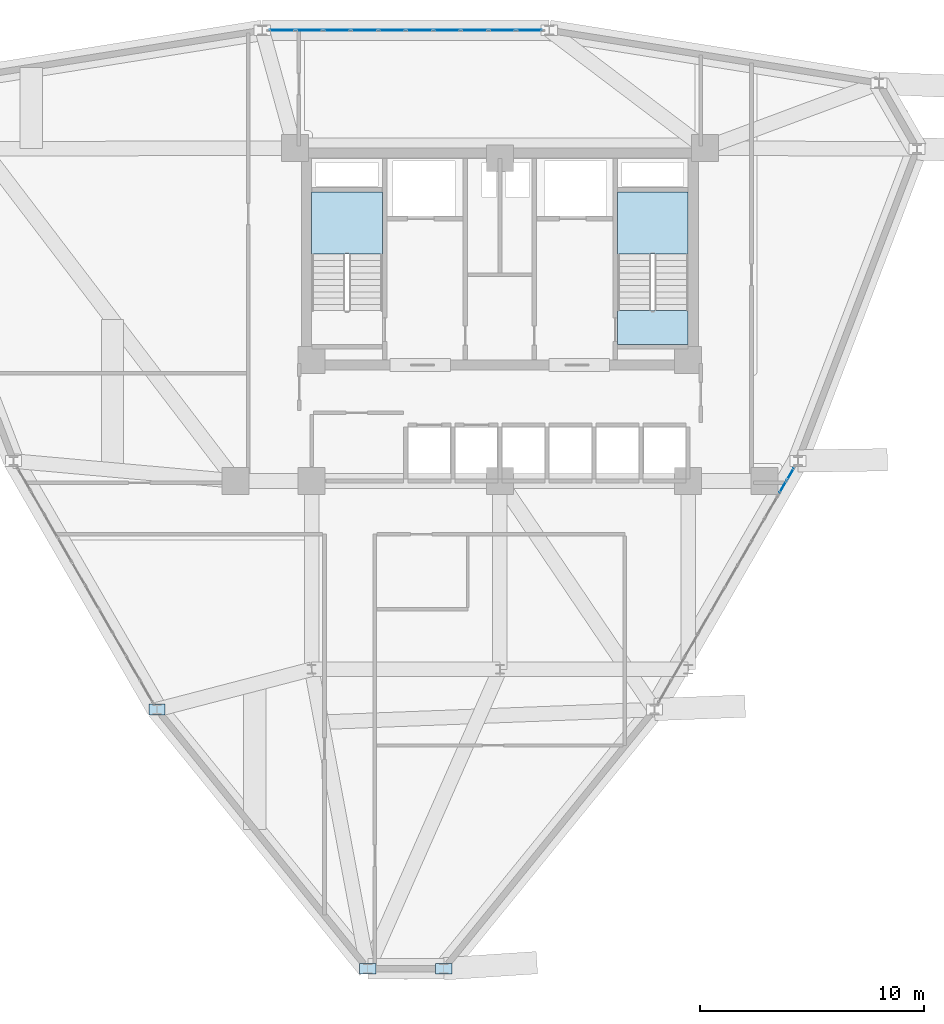
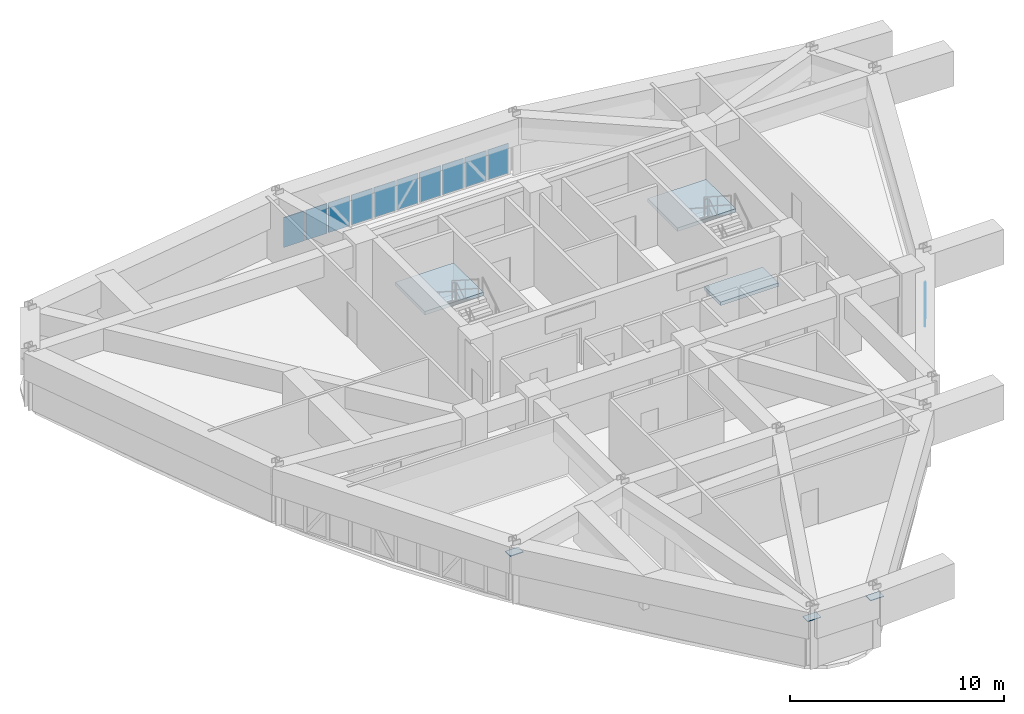
# One storey, part 10 of 15: 15 plates, 3 slabs, 4 elements without a shape of their own.
"""IFC4 building model written with IfcOpenShell, lengths in metres."""

from ifc_helpers import new_model, si_unit, derived_unit, direction, frame, origin, origin_2d, place, context, subcontext, project, spatial, polyline, rectangle, outline, extrude, source, transform, mapped, material, layer, layer_set, type_object, element, aggregate, save


model = new_model("IFC4")

# Units and contexts
model_context = context("Model", 3, precision=1e-05, world=origin(), true_north=direction((0.0, 1.0)))
body_context = subcontext(model_context, "Body", "Model", "MODEL_VIEW")
ifc_project = project(units=[si_unit("LENGTHUNIT", "METRE"), si_unit("AREAUNIT", "SQUARE_METRE"), si_unit("VOLUMEUNIT", "CUBIC_METRE"), si_unit("PLANEANGLEUNIT", "RADIAN"), si_unit("MASSUNIT", "GRAM", prefix="KILO"), derived_unit("THERMALTRANSMITTANCEUNIT", [(si_unit("POWERUNIT", "WATT"), 1), (si_unit("LENGTHUNIT", "METRE"), -2), (si_unit("THERMODYNAMICTEMPERATUREUNIT", "KELVIN"), -1)])], contexts=[model_context])

# Site, building, storey
site_placement = place(None, origin())
site = spatial("IfcSite", under=ifc_project, at=site_placement, CompositionType="ELEMENT")
building_placement = place(site_placement, origin())
building = spatial("IfcBuilding", under=site, at=building_placement, Name="Korsvarv Bourse and Concert Hall", CompositionType="ELEMENT")
storey_placement = place(building_placement, frame((0.0, 0.0, 165.0)))
storey = spatial("IfcBuildingStorey", under=building, at=storey_placement, Name="L42", CompositionType="ELEMENT", Elevation=165.0)

# Slab
ifc_material_1 = material(Name="Precast concrete C45/55", Category="concrete")
ifc_layer_1 = layer(ifc_material_1, 0.199951171875)
ifc_layer_set_1 = layer_set([ifc_layer_1], Name="Precast concrete C45/55")
slab_type_1 = type_object("IfcSlabType", Name="SLB-FLND-T", PredefinedType="LANDING", material=ifc_layer_set_1)
slab_1_placement = place(storey_placement, frame((0.0, 0.0, -0.199951171875)))
element("IfcSlab", 1, at=slab_1_placement, inside=storey, type_object=slab_type_1, Name="L42 Stair ST-T2 Floor Landing Slab", PredefinedType="LANDING", context=body_context, shape_type="SweptSolid", body=[
    extrude(outline(polyline([(44.39990234375, 38.5), (44.39990234375, 40.0), (41.239990234375, 40.0), (41.239990234375, 38.5), (44.39990234375, 38.5)])), origin(), (0.0, 0.0, 1.0), 0.199951171875),
])

# Stair, slab
stair_type = type_object("IfcStairType", Name="STR-TYPE-04", PredefinedType="HALF_TURN_STAIR", material=ifc_material_1)
stair_1_placement = place(storey_placement, origin())
stair_1 = element("IfcStair", 2, at=stair_1_placement, inside=storey, type_object=stair_type, Name="L42 Tower West Exit Stair ST-T1", PredefinedType="HALF_TURN_STAIR")
ifc_layer_2 = layer(ifc_material_1, 0.199951171875)
ifc_layer_set_2 = layer_set([ifc_layer_2], Name="Precast concrete C45/55")
slab_type_2 = type_object("IfcSlabType", Name="SLB-ST-LND", PredefinedType="LANDING", material=ifc_layer_set_2)
slab_2_placement = place(storey_placement, frame((0.0, 0.0, 1.60009765625)))
slab_2 = element("IfcSlab", 3, at=slab_2_placement, type_object=slab_type_2, Name="ST-T1 landing 1", PredefinedType="LANDING", context=body_context, shape_type="SweptSolid", body=[
    extrude(outline(polyline([(30.760009765625, 42.52001953125), (30.760009765625, 45.300048828125), (27.60009765625, 45.300048828125), (27.60009765625, 42.52001953125), (30.760009765625, 42.52001953125)])), origin(), (0.0, 0.0, 1.0), 0.199951171875),
])
aggregate(stair_1, [slab_2])

stair_2_placement = place(storey_placement, origin())
stair_2 = element("IfcStair", 4, at=stair_2_placement, inside=storey, type_object=stair_type, Name="L42 Tower East Exit Stair ST-T2", PredefinedType="HALF_TURN_STAIR")
slab_3_placement = place(storey_placement, frame((0.0, 0.0, 1.60009765625)))
slab_3 = element("IfcSlab", 5, at=slab_3_placement, type_object=slab_type_2, Name="ST-T2 landing 1", PredefinedType="LANDING", context=body_context, shape_type="SweptSolid", body=[
    extrude(outline(polyline([(44.39990234375, 42.52001953125), (44.39990234375, 45.300048828125), (41.239990234375, 45.300048828125), (41.239990234375, 42.52001953125), (44.39990234375, 42.52001953125)])), origin(), (0.0, 0.0, 1.0), 0.199951171875),
])
aggregate(stair_2, [slab_3])

# Plates
ifc_material_2 = material(Name="Steel S460", Category="steel")
ifc_layer_3 = layer(ifc_material_2, 0.033935546875)
ifc_layer_set_3 = layer_set([ifc_layer_3], Name="Steel S460")
plate_type_1 = type_object("IfcPlateType", Name="PLT-KN5", PredefinedType="SHEET", material=ifc_layer_set_3)
shared_shape_1 = source(origin(), body_context, "Body", "SweptSolid", [
    extrude(rectangle(XDim=0.719970703125, YDim=0.47998046875, at=origin_2d()), origin(), (0.0, 0.0, 1.0), 0.033935546875),
])
for number, where, z_axis, x_axis, name in (
    (6, (20.704833984375, 22.202392578125, 2.80322265625), (0.0, 0.0, 1.0), (1.0, 0.0, 0.0), "L42 Block-Shift Transfer Splice Plate KN5-8"),
    (7, (33.49560546875, 10.63525390625, 2.80322265625), (0.0, 0.0, 1.0), (1.0, 0.0, 0.0), "L42 Block-Shift Transfer Splice Plate KN5-10"),
    (8, (30.104248046875, 10.63525390625, 2.80322265625), (0.0, 0.0, 1.0), (1.0, 0.0, 0.0), "L42 Block-Shift Transfer Splice Plate KN5-9"),
):
    element("IfcPlate", number, at=place(storey_placement, frame(where, z_axis=z_axis, x_axis=x_axis)), inside=storey, type_object=plate_type_1, Name=name, PredefinedType="SHEET", context=body_context, shape_type="MappedRepresentation", body=[
        mapped(shared_shape_1, transform((0.0, 0.0, 0.0), scale=1.0)),
    ])

# Curtain wall, plates
ifc_material_3 = material(Name="Anodised aluminium and triple low-E glazing", Category="glass")
ifc_layer_4 = layer(ifc_material_3, 0.2099609375)
ifc_layer_set_4 = layer_set([ifc_layer_4], Name="Anodised aluminium and triple low-E glazing")
curtain_wall_type = type_object("IfcCurtainWallType", Name="CW-SYS-2", PredefinedType="NOTDEFINED", material=ifc_layer_set_4)
curtain_wall_1_placement = place(storey_placement, origin())
curtain_wall_1 = element("IfcCurtainWall", 9, at=curtain_wall_1_placement, inside=storey, type_object=curtain_wall_type, Name="L42 CW2 curtain wall CW-L42-F03", PredefinedType="NOTDEFINED")
ifc_material_4 = material(Name="Tempered triple insulated low-E architectural glass", Category="glass")
ifc_layer_5 = layer(ifc_material_4, 0.0380859375)
ifc_layer_set_5 = layer_set([ifc_layer_5], Name="Tempered triple insulated low-E architectural glass")
plate_type_2 = type_object("IfcPlateType", Name="CWP-VIS2", PredefinedType="CURTAIN_PANEL", material=ifc_layer_set_5)
shared_shape_2 = source(origin(), body_context, "Body", "SweptSolid", [
    extrude(rectangle(XDim=1.1240234375, YDim=0.0380859375, at=origin_2d()), origin(), (0.0, 0.0, 1.0), 1.7099609375),
])
plate_1_placement = place(storey_placement, frame((37.3134765625, 52.507568359375, 0.06494140625), z_axis=(0.0, 0.0, 1.0), x_axis=(-1.0, 0.0, 0.0)))
plate_1 = element("IfcPlate", 10, at=plate_1_placement, type_object=plate_type_2, Name="CW2 faceted panel 1.1", PredefinedType="CURTAIN_PANEL", context=body_context, shape_type="MappedRepresentation", body=[
    mapped(shared_shape_2, transform((0.0, 0.0, 0.0), scale=1.0)),
])
plate_2_placement = place(storey_placement, frame((26.28662109375, 52.507568359375, 0.06494140625), z_axis=(0.0, 0.0, 1.0), x_axis=(-1.0, 0.0, 0.0)))
plate_2 = element("IfcPlate", 11, at=plate_2_placement, type_object=plate_type_2, Name="CW2 faceted panel 10.1", PredefinedType="CURTAIN_PANEL", context=body_context, shape_type="MappedRepresentation", body=[
    mapped(shared_shape_2, transform((0.0, 0.0, 0.0), scale=1.0)),
])
ifc_material_5 = material(Name="Insulated spandrel glass", Category="glass")
ifc_layer_6 = layer(ifc_material_5, 0.031982421875)
ifc_layer_set_6 = layer_set([ifc_layer_6], Name="Insulated spandrel glass")
plate_type_3 = type_object("IfcPlateType", Name="CWP-SPD1", PredefinedType="CURTAIN_PANEL", material=ifc_layer_set_6)
shared_shape_3 = source(origin(), body_context, "Body", "SweptSolid", [
    extrude(rectangle(XDim=1.1591796875, YDim=0.031982421875, at=origin_2d()), origin(), (0.0, 0.0, 1.0), 1.7099609375),
])
plate_3_placement = place(storey_placement, frame((36.101806640625, 52.507568359375, 0.06494140625), z_axis=(0.0, 0.0, 1.0), x_axis=(-1.0, 0.0, 0.0)))
plate_3 = element("IfcPlate", 12, at=plate_3_placement, type_object=plate_type_3, Name="CW2 spandrel shadow-box panel 2.1", PredefinedType="CURTAIN_PANEL", context=body_context, shape_type="MappedRepresentation", body=[
    mapped(shared_shape_3, transform((0.0, 0.0, 0.0), scale=1.0)),
])
plate_4_placement = place(storey_placement, frame((32.41455078125, 52.507568359375, 0.06494140625), z_axis=(0.0, 0.0, 1.0), x_axis=(-1.0, 0.0, 0.0)))
plate_4 = element("IfcPlate", 13, at=plate_4_placement, type_object=plate_type_3, Name="CW2 spandrel shadow-box panel 5.1", PredefinedType="CURTAIN_PANEL", context=body_context, shape_type="MappedRepresentation", body=[
    mapped(shared_shape_3, transform((0.0, 0.0, 0.0), scale=1.0)),
])
plate_5_placement = place(storey_placement, frame((28.727294921875, 52.507568359375, 0.06494140625), z_axis=(0.0, 0.0, 1.0), x_axis=(-1.0, 0.0, 0.0)))
plate_5 = element("IfcPlate", 14, at=plate_5_placement, type_object=plate_type_3, Name="CW2 spandrel shadow-box panel 8.1", PredefinedType="CURTAIN_PANEL", context=body_context, shape_type="MappedRepresentation", body=[
    mapped(shared_shape_3, transform((0.0, 0.0, 0.0), scale=1.0)),
])
shared_shape_4 = source(origin(), body_context, "Body", "SweptSolid", [
    extrude(rectangle(XDim=1.1591796875, YDim=0.0380859375, at=origin_2d()), origin(), (0.0, 0.0, 1.0), 1.7099609375),
])
plate_6_placement = place(storey_placement, frame((34.872802734375, 52.507568359375, 0.06494140625), z_axis=(0.0, 0.0, 1.0), x_axis=(-1.0, 0.0, 0.0)))
plate_6 = element("IfcPlate", 15, at=plate_6_placement, type_object=plate_type_2, Name="CW2 faceted panel 3.1", PredefinedType="CURTAIN_PANEL", context=body_context, shape_type="MappedRepresentation", body=[
    mapped(shared_shape_4, transform((0.0, 0.0, 0.0), scale=1.0)),
])
plate_7_placement = place(storey_placement, frame((33.6435546875, 52.507568359375, 0.06494140625), z_axis=(0.0, 0.0, 1.0), x_axis=(-1.0, 0.0, 0.0)))
plate_7 = element("IfcPlate", 16, at=plate_7_placement, type_object=plate_type_2, Name="CW2 faceted panel 4.1", PredefinedType="CURTAIN_PANEL", context=body_context, shape_type="MappedRepresentation", body=[
    mapped(shared_shape_4, transform((0.0, 0.0, 0.0), scale=1.0)),
])
plate_8_placement = place(storey_placement, frame((31.185546875, 52.507568359375, 0.06494140625), z_axis=(0.0, 0.0, 1.0), x_axis=(-1.0, 0.0, 0.0)))
plate_8 = element("IfcPlate", 17, at=plate_8_placement, type_object=plate_type_2, Name="CW2 faceted panel 6.1", PredefinedType="CURTAIN_PANEL", context=body_context, shape_type="MappedRepresentation", body=[
    mapped(shared_shape_4, transform((0.0, 0.0, 0.0), scale=1.0)),
])
plate_9_placement = place(storey_placement, frame((29.956298828125, 52.507568359375, 0.06494140625), z_axis=(0.0, 0.0, 1.0), x_axis=(-1.0, 0.0, 0.0)))
plate_9 = element("IfcPlate", 18, at=plate_9_placement, type_object=plate_type_2, Name="CW2 faceted panel 7.1", PredefinedType="CURTAIN_PANEL", context=body_context, shape_type="MappedRepresentation", body=[
    mapped(shared_shape_4, transform((0.0, 0.0, 0.0), scale=1.0)),
])
plate_10_placement = place(storey_placement, frame((27.498046875, 52.507568359375, 0.06494140625), z_axis=(0.0, 0.0, 1.0), x_axis=(-1.0, 0.0, 0.0)))
plate_10 = element("IfcPlate", 19, at=plate_10_placement, type_object=plate_type_2, Name="CW2 faceted panel 9.1", PredefinedType="CURTAIN_PANEL", context=body_context, shape_type="MappedRepresentation", body=[
    mapped(shared_shape_4, transform((0.0, 0.0, 0.0), scale=1.0)),
])
aggregate(curtain_wall_1, [plate_1, plate_3, plate_6, plate_7, plate_4, plate_8, plate_9, plate_5, plate_10, plate_2])

curtain_wall_2_placement = place(storey_placement, origin())
curtain_wall_2 = element("IfcCurtainWall", 20, at=curtain_wall_2_placement, inside=storey, type_object=curtain_wall_type, Name="L42 CW2 curtain wall CW-L42-F11-2", PredefinedType="NOTDEFINED")
shared_shape_5 = source(origin(), body_context, "Body", "SweptSolid", [
    extrude(rectangle(XDim=0.587158203125, YDim=0.031982421875, at=origin_2d()), origin(), (0.0, 0.0, 1.0), 1.7099609375),
])
plate_11_placement = place(storey_placement, frame((48.6318359375, 32.138427734375, 0.06494140625), z_axis=(0.0, 0.0, 1.0), x_axis=(0.500030891693, 0.866007567723, 0.0)))
plate_11 = element("IfcPlate", 21, at=plate_11_placement, type_object=plate_type_3, Name="CW2 spandrel shadow-box panel 1.1", PredefinedType="CURTAIN_PANEL", context=body_context, shape_type="MappedRepresentation", body=[
    mapped(shared_shape_5, transform((0.0, 0.0, 0.0), scale=1.0)),
])
shared_shape_6 = source(origin(), body_context, "Body", "SweptSolid", [
    extrude(rectangle(XDim=0.587158203125, YDim=0.0380859375, at=origin_2d()), origin(), (0.0, 0.0, 1.0), 1.7099609375),
])
plate_12_placement = place(storey_placement, frame((48.96044921875, 32.707763671875, 0.06494140625), z_axis=(0.0, 0.0, 1.0), x_axis=(0.500030891693, 0.866007567723, 0.0)))
plate_12 = element("IfcPlate", 22, at=plate_12_placement, type_object=plate_type_2, Name="CW2 faceted panel 2.1", PredefinedType="CURTAIN_PANEL", context=body_context, shape_type="MappedRepresentation", body=[
    mapped(shared_shape_6, transform((0.0, 0.0, 0.0), scale=1.0)),
])
aggregate(curtain_wall_2, [plate_11, plate_12])

save(model, "model.ifc")
